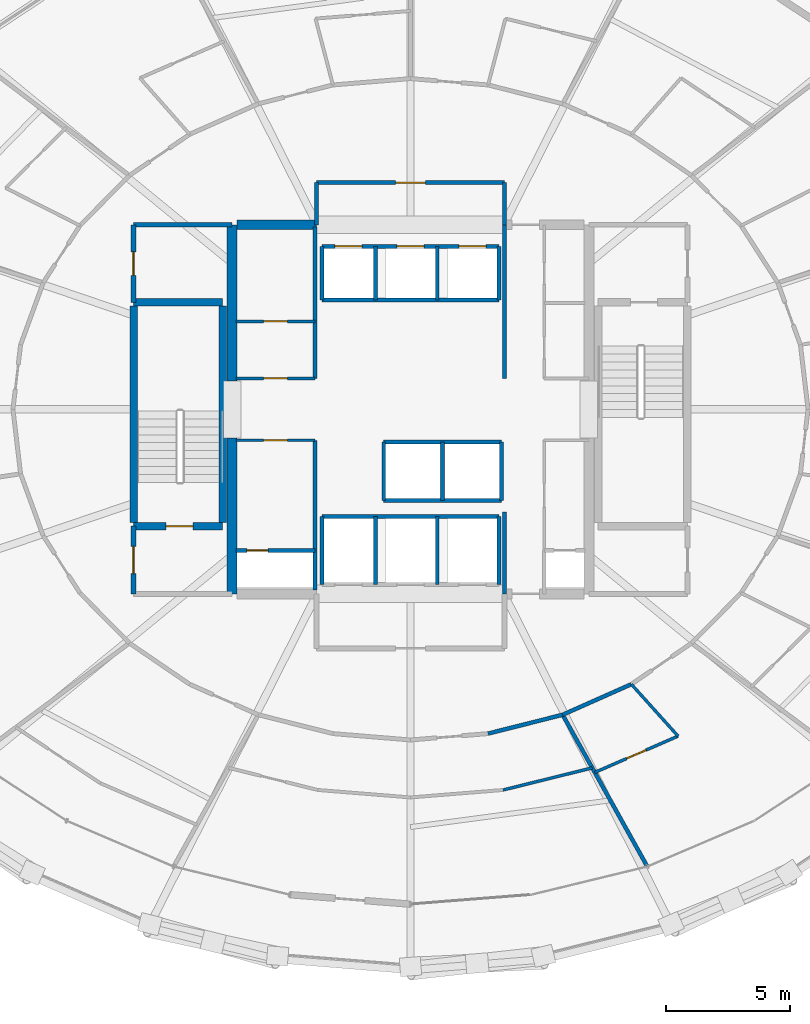
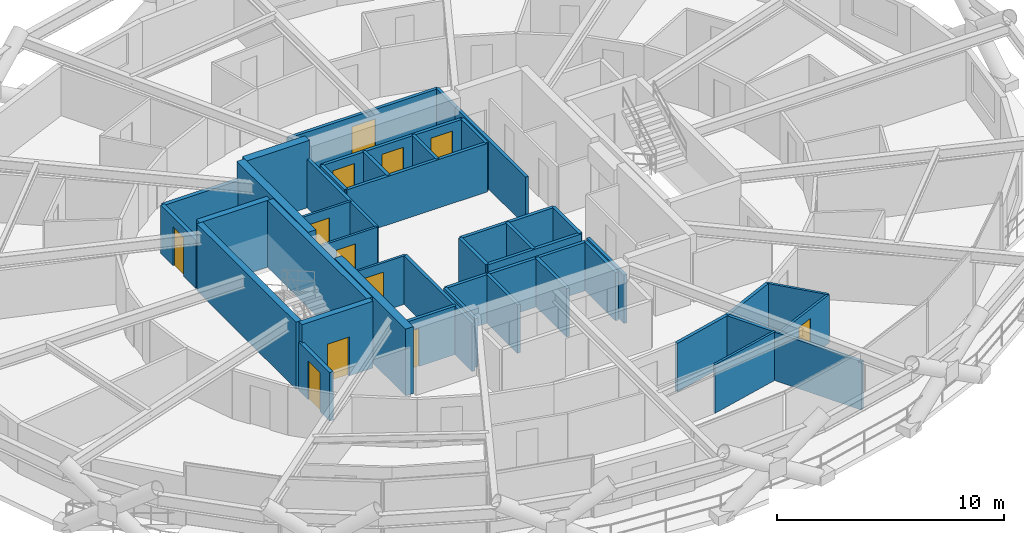
# One storey, part 12 of 17: 43 walls, 12 doors, 12 openings.
"""IFC4 building model written with IfcOpenShell, lengths in metres."""

import ifcopenshell
import ifcopenshell.guid

model = None  # the IFC model being written
_history = None  # IfcOwnerHistory: only IFC2X3 demands one
_inside = {}  # id of a spatial element -> (the spatial element, [elements in it])
_under = {}  # id of a project, library or spatial element -> (it, [spatial elements below it])
_declared = {}  # id of a project -> (the project, [libraries it declares])
_typed = {}  # id of a type object -> (the type object, [elements of that type])
_made_of = {}  # id of a material, layer set ... -> (it, [elements and type objects made of it])


def new_model(schema):
    """Start an empty IFC model of exactly this schema.

    Asked for "IFC4X3", IfcOpenShell would pick the latest addendum, in which some entities
    have other attributes; the version numbers below select the first issue.
    IFC2X3 requires an IfcOwnerHistory on every rooted entity: one is made here for all.
    """
    global model, _history
    if schema == "IFC4X3":
        model = ifcopenshell.file(schema_version=(4, 3, 0, 0))
    else:
        model = ifcopenshell.file(schema=schema)
    _inside.clear()
    _under.clear()
    _declared.clear()
    _typed.clear()
    _made_of.clear()
    _history = None
    if model.schema == "IFC2X3":
        org = make("IfcOrganization", Name="unknown")
        user = make(
            "IfcPersonAndOrganization",
            ThePerson=make("IfcPerson", FamilyName="unknown"),
            TheOrganization=org,
        )
        app = make(
            "IfcApplication",
            ApplicationDeveloper=org,
            Version="unknown",
            ApplicationFullName="unknown",
            ApplicationIdentifier="unknown",
        )
        _history = make(
            "IfcOwnerHistory",
            OwningUser=user,
            OwningApplication=app,
            ChangeAction="ADDED",
            CreationDate=0,
        )
    return model


def make(cls, **values):
    """One entity of the class cls with the attributes given. An attribute that is None is left unset."""
    return model.create_entity(
        cls, **{name: value for name, value in values.items() if value is not None}
    )


def rooted(cls, **values):
    """An entity with a GlobalId (a new one), such as an element, a storey or a relation."""
    return make(cls, GlobalId=ifcopenshell.guid.new(), OwnerHistory=_history, **values)


def si_unit(unit_type, name, prefix=None):
    """IfcSIUnit, for example si_unit("LENGTHUNIT", "METRE", prefix="MILLI")."""
    return make("IfcSIUnit", UnitType=unit_type, Prefix=prefix, Name=name)


def assignment(units):
    """IfcUnitAssignment: the units of a project."""
    return None if units is None else make("IfcUnitAssignment", Units=units)


def point(xyz):
    """IfcCartesianPoint."""
    return None if xyz is None else make("IfcCartesianPoint", Coordinates=xyz)


def direction(xyz):
    """IfcDirection."""
    return None if xyz is None else make("IfcDirection", DirectionRatios=xyz)


def frame(location, z_axis=None, x_axis=None):
    """IfcAxis2Placement3D, a coordinate frame: its origin and axes. An axis left out is left unset."""
    return make(
        "IfcAxis2Placement3D",
        Location=point(location),
        Axis=direction(z_axis),
        RefDirection=direction(x_axis),
    )


def frame_2d(location, x_axis=None):
    """IfcAxis2Placement2D, a coordinate frame in the plane: its origin and x axis."""
    return make(
        "IfcAxis2Placement2D", Location=point(location), RefDirection=direction(x_axis)
    )


def origin():
    """The frame at (0, 0, 0) with its axes left unset."""
    return frame((0.0, 0.0, 0.0))


def place(relative_to, where):
    """IfcLocalPlacement: puts the frame where relative to a parent placement (None: the world)."""
    return make(
        "IfcLocalPlacement", PlacementRelTo=relative_to, RelativePlacement=where
    )


def context(
    kind, dimensions, precision=None, world=None, true_north=None, identifier=None
):
    """IfcGeometricRepresentationContext, for example the 3D "Model" context."""
    return make(
        "IfcGeometricRepresentationContext",
        ContextIdentifier=identifier,
        ContextType=kind,
        CoordinateSpaceDimension=dimensions,
        Precision=precision,
        WorldCoordinateSystem=world,
        TrueNorth=true_north,
    )


def subcontext(parent, identifier, kind, view, scale=None):
    """IfcGeometricRepresentationSubContext, for example "Body" below "Model"."""
    return make(
        "IfcGeometricRepresentationSubContext",
        ContextIdentifier=identifier,
        ContextType=kind,
        ParentContext=parent,
        TargetScale=scale,
        TargetView=view,
    )


def project(units=None, contexts=None):
    """IfcProject with its units and contexts."""
    return rooted(
        "IfcProject",
        Name="project",
        RepresentationContexts=contexts,
        UnitsInContext=assignment(units),
    )


def spatial(cls, under=None, at=None, **own):
    """A site, building, storey or space (cls), placed at a placement, below another one or the project."""
    s = rooted(cls, ObjectPlacement=at, **own)
    if under is not None:
        _under.setdefault(under.id(), (under, []))[1].append(s)
    return s


def profile(cls, at=None, kind="AREA", **sizes):
    """A parametric profile (cls). Its sizes go by their IFC names, for example OverallWidth=200.0."""
    return make(cls, ProfileType=kind, Position=at, **sizes)


def rectangle(**sizes):
    """IfcRectangleProfileDef."""
    return profile("IfcRectangleProfileDef", **sizes)


def extrude(swept, where, along, depth):
    """IfcExtrudedAreaSolid: the profile swept, set in the frame where, extruded along a direction by depth."""
    return make(
        "IfcExtrudedAreaSolid",
        SweptArea=swept,
        Position=where,
        ExtrudedDirection=direction(along),
        Depth=depth,
    )


def shape(context_of_items, identifier, shape_type, items):
    """IfcShapeRepresentation: the items that make up one representation, for example the "Body"."""
    return make(
        "IfcShapeRepresentation",
        ContextOfItems=context_of_items,
        RepresentationIdentifier=identifier,
        RepresentationType=shape_type,
        Items=items,
    )


def material(Name=None, Category=None):
    """IfcMaterial."""
    return make("IfcMaterial", Name=Name, Category=Category)


def layer(
    of_material, thickness, ventilated=None, Name=None, Category=None, Priority=None
):
    """IfcMaterialLayer: one layer of a wall or slab, of a material (None: an air gap)."""
    return make(
        "IfcMaterialLayer",
        Material=of_material,
        LayerThickness=thickness,
        IsVentilated=ventilated,
        Name=Name,
        Category=Category,
        Priority=Priority,
    )


def layer_set(layers, Name=None):
    """IfcMaterialLayerSet."""
    return make("IfcMaterialLayerSet", MaterialLayers=layers, LayerSetName=Name)


def made_of(thing, what):
    """Note that an element or type object is made of a material, layer set ...; save() writes the relation."""
    if what is not None:
        _made_of.setdefault(what.id(), (what, []))[1].append(thing)
    return thing


def type_object(cls, material=None, **own):
    """A type object (cls), such as IfcWallType, which elements share."""
    return made_of(rooted(cls, **own), material)


def element(
    cls,
    number,
    at=None,
    inside=None,
    cuts=None,
    type_object=None,
    material=None,
    context=None,
    identifier="Body",
    shape_type=None,
    held_by="IfcProductDefinitionShape",
    body=None,
    shapes=None,
    **own,
):
    """One element of the class cls, such as IfcWall. Its Tag is "e" and its number.

    at: its placement. inside: the storey or other place that contains it. cuts: it is an
    opening in that element (IfcRelVoidsElement). A single representation is given by context,
    identifier, shape_type and body (its items); several are given by shapes. held_by: the class
    of the entity that holds the representations. save() writes the other relations.
    """
    e = rooted(cls, Tag="e%d" % number, ObjectPlacement=at, **own)
    if body is not None:
        shapes = [shape(context, identifier, shape_type, body)]
    if shapes is not None:
        e.Representation = make(held_by, Representations=shapes)
    if inside is not None:
        _inside.setdefault(inside.id(), (inside, []))[1].append(e)
    if cuts is not None:
        rooted(
            "IfcRelVoidsElement", RelatingBuildingElement=cuts, RelatedOpeningElement=e
        )
    if type_object is not None:
        _typed.setdefault(type_object.id(), (type_object, []))[1].append(e)
    return made_of(e, material)


def fill(opening, filler):
    """IfcRelFillsElement: the door or window that sits in an opening."""
    return rooted(
        "IfcRelFillsElement",
        RelatingOpeningElement=opening,
        RelatedBuildingElement=filler,
    )


def aggregate(whole, parts):
    """IfcRelAggregates: a whole, such as a stair, and the parts it consists of."""
    return rooted("IfcRelAggregates", RelatingObject=whole, RelatedObjects=parts)


def save(model, path):
    """Write the relations noted so far, then the file.

    IfcRelAggregates (storeys below a building ...), IfcRelContainedInSpatialStructure (elements
    in a storey), IfcRelDefinesByType, IfcRelAssociatesMaterial and IfcRelDeclares: one each for
    every whole, place, type object, material and project.
    """
    for whole, parts in _under.values():
        aggregate(whole, parts)
    for where, things in _inside.values():
        rooted(
            "IfcRelContainedInSpatialStructure",
            RelatedElements=things,
            RelatingStructure=where,
        )
    for kind, things in _typed.values():
        rooted("IfcRelDefinesByType", RelatedObjects=things, RelatingType=kind)
    for what, things in _made_of.values():
        rooted("IfcRelAssociatesMaterial", RelatedObjects=things, RelatingMaterial=what)
    for by, libraries in _declared.values():
        rooted("IfcRelDeclares", RelatingContext=by, RelatedDefinitions=libraries)
    model.write(path)


model = new_model("IFC4")

# Units and contexts
model_context = context("Model", 3, precision=1e-05, world=origin(), true_north=direction((0.0, 1.0)))
body_context = subcontext(model_context, "Body", "Model", "MODEL_VIEW")
ifc_project = project(units=[si_unit("LENGTHUNIT", "METRE"), si_unit("AREAUNIT", "SQUARE_METRE"), si_unit("VOLUMEUNIT", "CUBIC_METRE"), si_unit("PLANEANGLEUNIT", "RADIAN"), si_unit("MASSUNIT", "GRAM", prefix="KILO")], contexts=[model_context])

# Site, building, storey
site_placement = place(None, origin())
site = spatial("IfcSite", under=ifc_project, at=site_placement, CompositionType="ELEMENT")
building_placement = place(site_placement, origin())
building = spatial("IfcBuilding", under=site, at=building_placement, Name="Veldorina Hangang Commons", CompositionType="ELEMENT")
storey_placement = place(building_placement, frame((0.0, 0.0, 30.39990234375)))
storey = spatial("IfcBuildingStorey", under=building, at=storey_placement, Name="L06", CompositionType="ELEMENT", Elevation=30.39990234375)

# Walls
ifc_material_1 = material(Name="Concrete C70/85", Category="concrete")
ifc_layer_1 = layer(ifc_material_1, 0.39990234375)
ifc_layer_set_1 = layer_set([ifc_layer_1], Name="Concrete C70/85")
wall_type_1 = type_object("IfcWallType", Name="CW-RC400-C70", PredefinedType="SHEAR", material=ifc_layer_set_1)
for number, where, z_axis, x_axis, name in (
    (1, (24.800048828125, 16.550048828125, 0.0), (0.0, 0.0, 1.0), (0.0, 1.0, 0.0), "L06 W south core shear wall"),
    (2, (24.800048828125, 25.14990234375, 0.0), (0.0, 0.0, 1.0), (0.0, 1.0, 0.0), "L06 W north core shear wall"),
):
    element("IfcWall", number, at=place(storey_placement, frame(where, z_axis=z_axis, x_axis=x_axis)), inside=storey, type_object=wall_type_1, Name=name, PredefinedType="SHEAR", context=body_context, shape_type="SweptSolid", body=[
        extrude(rectangle(XDim=6.300048828125, YDim=0.39990234375, at=frame_2d((3.14990234375, 0.0))), origin(), (0.0, 0.0, 1.0), 3.60009765625),
    ])
wall_1_placement = place(storey_placement, frame((25.0, 31.449951171875, 0.0), z_axis=(0.0, 0.0, 1.0), x_axis=(1.0, 0.0, 0.0)))
element("IfcWall", 3, at=wall_1_placement, inside=storey, type_object=wall_type_1, Name="L06 north-west core shear wall", PredefinedType="SHEAR", context=body_context, shape_type="SweptSolid", body=[
    extrude(rectangle(XDim=3.199951171875, YDim=0.39990234375, at=frame_2d((1.60009765625, 0.0))), origin(), (0.0, 0.0, 1.0), 3.60009765625),
])
ifc_material_2 = material(Name="Concrete C50/60", Category="concrete")
ifc_layer_2 = layer(ifc_material_2, 0.300048828125)
ifc_layer_set_2 = layer_set([ifc_layer_2], Name="Concrete C50/60")
wall_type_2 = type_object("IfcWallType", Name="SW-STAIR-300", PredefinedType="SHEAR", material=ifc_layer_set_2)
for number, where, z_axis, x_axis, name in (
    (4, (20.820068359375, 19.429931640625, 0.0), (0.0, 0.0, 1.0), (0.0, 1.0, 0.0), "L06 ST1 outer stair shear wall"),
    (5, (24.419921875, 19.429931640625, 0.0), (0.0, 0.0, 1.0), (0.0, 1.0, 0.0), "L06 ST1 inner stair shear wall"),
):
    element("IfcWall", number, at=place(storey_placement, frame(where, z_axis=z_axis, x_axis=x_axis)), inside=storey, type_object=wall_type_2, Name=name, PredefinedType="SHEAR", context=body_context, shape_type="SweptSolid", body=[
        extrude(rectangle(XDim=8.739990234375, YDim=0.300048828125, at=frame_2d((4.3701171875, 0.0))), origin(), (0.0, 0.0, 1.0), 3.60009765625),
    ])

# Wall, opening, door
wall_2_placement = place(storey_placement, frame((20.820068359375, 19.280029296875, 0.0), z_axis=(0.0, 0.0, 1.0), x_axis=(1.0, 0.0, 0.0)))
wall_2 = element("IfcWall", 6, at=wall_2_placement, inside=storey, type_object=wall_type_2, Name="L06 ST1 south stair shear wall", PredefinedType="SHEAR", context=body_context, shape_type="SweptSolid", body=[
    extrude(rectangle(XDim=3.599853515625, YDim=0.300048828125, at=frame_2d((1.7998046875, 0.0))), origin(), (0.0, 0.0, 1.0), 3.60009765625),
])
opening_1_placement = place(wall_2_placement, frame((1.300048828125, 0.0, 0.0)))
opening_1 = element("IfcOpeningElement", 7, at=opening_1_placement, cuts=wall_2, Name="Opening D-08", PredefinedType="OPENING", context=body_context, shape_type="SweptSolid", body=[
    extrude(rectangle(XDim=1.10009765625, YDim=2.10009765625, at=frame_2d((0.550048828125, 1.050048828125))), frame((0.0, 0.16015625, 0.0), z_axis=(0.0, -1.0, 0.0), x_axis=(1.0, 0.0, 0.0)), (0.0, 0.0, 1.0), 0.320068359375),
])
ifc_material_3 = material(Name="Steel Fire-Rated Smoke Seal", Category="steel")
door_type_1 = type_object("IfcDoorType", Name="DR-FIRE-1100", OperationType="SINGLE_SWING_RIGHT", PredefinedType="DOOR", material=ifc_material_3)
door_1_placement = place(opening_1_placement, origin())
door_1 = element("IfcDoor", 8, at=door_1_placement, inside=storey, type_object=door_type_1, Name="L06 Special Escape Stair ST-1 door", OperationType="SINGLE_SWING_LEFT", OverallHeight=2.10009765625, OverallWidth=1.10009765625, PredefinedType="DOOR", context=body_context, shape_type="SweptSolid", body=[
    extrude(rectangle(XDim=1.10009765625, YDim=2.10009765625, at=frame_2d((0.550048828125, 1.050048828125))), frame((0.0, 0.02490234375, 0.0), z_axis=(0.0, -1.0, 0.0), x_axis=(1.0, 0.0, 0.0)), (0.0, 0.0, 1.0), 0.050048828125),
])
fill(opening_1, door_1)

# Walls
wall_3_placement = place(storey_placement, frame((20.820068359375, 28.320068359375, 0.0), z_axis=(0.0, 0.0, 1.0), x_axis=(1.0, 0.0, 0.0)))
element("IfcWall", 9, at=wall_3_placement, inside=storey, type_object=wall_type_2, Name="L06 ST1 north stair shear wall", PredefinedType="SHEAR", context=body_context, shape_type="SweptSolid", body=[
    extrude(rectangle(XDim=3.599853515625, YDim=0.300048828125, at=frame_2d((1.7998046875, 0.0))), origin(), (0.0, 0.0, 1.0), 3.60009765625),
])
ifc_material_4 = material(Name="Gypsum Fire-Rated Twin Stud Wall", Category="gypsum")
ifc_layer_3 = layer(ifc_material_4, 0.159912109375)
ifc_layer_set_3 = layer_set([ifc_layer_3], Name="Gypsum Fire-Rated Twin Stud Wall")
wall_type_3 = type_object("IfcWallType", Name="WL-FIRE-160", PredefinedType="SOLIDWALL", material=ifc_layer_set_3)
wall_4_placement = place(storey_placement, frame((35.800048828125, 16.550048828125, 0.0), z_axis=(0.0, 0.0, 1.0), x_axis=(0.0, 1.0, 0.0)))
element("IfcWall", 10, at=wall_4_placement, inside=storey, type_object=wall_type_3, Name="L06 Lift passage SW wall 009", PredefinedType="SOLIDWALL", context=body_context, shape_type="SweptSolid", body=[
    extrude(rectangle(XDim=3.300048828125, YDim=0.159912109375, at=frame_2d((1.64990234375, 0.0))), origin(), (0.0, 0.0, 1.0), 2.610107421875),
])
wall_5_placement = place(storey_placement, frame((35.800048828125, 25.25, 0.0), z_axis=(0.0, 0.0, 1.0), x_axis=(0.0, 1.0, 0.0)))
element("IfcWall", 11, at=wall_5_placement, inside=storey, type_object=wall_type_3, Name="L06 Lift passage NW wall 011", PredefinedType="SOLIDWALL", context=body_context, shape_type="SweptSolid", body=[
    extrude(rectangle(XDim=6.199951171875, YDim=0.159912109375, at=frame_2d((3.10009765625, 0.0))), origin(), (0.0, 0.0, 1.0), 2.610107421875),
])

# Wall, openings, doors
wall_6_placement = place(storey_placement, frame((28.419921875, 30.580078125, 0.0), z_axis=(0.0, 0.0, 1.0), x_axis=(1.0, 0.0, 0.0)))
wall_6 = element("IfcWall", 12, at=wall_6_placement, inside=storey, type_object=wall_type_3, Name="L06 Low-bank front shaft wall 015", PredefinedType="SOLIDWALL", context=body_context, shape_type="SweptSolid", body=[
    extrude(rectangle(XDim=7.16015625, YDim=0.159912109375, at=frame_2d((3.580078125, 0.0))), origin(), (0.0, 0.0, 1.0), 2.610107421875),
])
opening_2_placement = place(wall_6_placement, frame((0.530029296875, 0.0, 0.0)))
opening_2 = element("IfcOpeningElement", 13, at=opening_2_placement, cuts=wall_6, Name="Opening LD-01", PredefinedType="OPENING", context=body_context, shape_type="SweptSolid", body=[
    extrude(rectangle(XDim=1.10009765625, YDim=2.14990234375, at=frame_2d((0.550048828125, 1.074951171875))), frame((0.0, 0.08984375, 0.0), z_axis=(0.0, -1.0, 0.0), x_axis=(1.0, 0.0, 0.0)), (0.0, 0.0, 1.0), 0.179931640625),
])
opening_3_placement = place(wall_6_placement, frame((3.030029296875, 0.0, 0.0)))
opening_3 = element("IfcOpeningElement", 14, at=opening_3_placement, cuts=wall_6, Name="Opening LD-01", PredefinedType="OPENING", context=body_context, shape_type="SweptSolid", body=[
    extrude(rectangle(XDim=1.10009765625, YDim=2.14990234375, at=frame_2d((0.550048828125, 1.074951171875))), frame((0.0, 0.08984375, 0.0), z_axis=(0.0, -1.0, 0.0), x_axis=(1.0, 0.0, 0.0)), (0.0, 0.0, 1.0), 0.179931640625),
])
opening_4_placement = place(wall_6_placement, frame((5.530029296875, 0.0, 0.0)))
opening_4 = element("IfcOpeningElement", 15, at=opening_4_placement, cuts=wall_6, Name="Opening LD-01", PredefinedType="OPENING", context=body_context, shape_type="SweptSolid", body=[
    extrude(rectangle(XDim=1.10009765625, YDim=2.14990234375, at=frame_2d((0.550048828125, 1.074951171875))), frame((0.0, 0.08984375, 0.0), z_axis=(0.0, -1.0, 0.0), x_axis=(1.0, 0.0, 0.0)), (0.0, 0.0, 1.0), 0.179931640625),
])
ifc_material_5 = material(Name="Stainless Steel Brushed Lift Door", Category="steel")
door_type_2 = type_object("IfcDoorType", Name="DR-LIFT-1100", OperationType="SLIDING_TO_LEFT", PredefinedType="DOOR", material=ifc_material_5)
door_2_placement = place(opening_2_placement, origin())
door_2 = element("IfcDoor", 16, at=door_2_placement, inside=storey, type_object=door_type_2, Name="L06 Lift PL-L1 landing door 006", OperationType="SLIDING_TO_LEFT", OverallHeight=2.14990234375, OverallWidth=1.10009765625, PredefinedType="DOOR", context=body_context, shape_type="SweptSolid", body=[
    extrude(rectangle(XDim=1.10009765625, YDim=2.14990234375, at=frame_2d((0.550048828125, 1.074951171875))), frame((0.0, 0.02490234375, 0.0), z_axis=(0.0, -1.0, 0.0), x_axis=(1.0, 0.0, 0.0)), (0.0, 0.0, 1.0), 0.050048828125),
])
fill(opening_2, door_2)
door_3_placement = place(opening_3_placement, origin())
door_3 = element("IfcDoor", 17, at=door_3_placement, inside=storey, type_object=door_type_2, Name="L06 Lift PL-L2 landing door 007", OperationType="SLIDING_TO_LEFT", OverallHeight=2.14990234375, OverallWidth=1.10009765625, PredefinedType="DOOR", context=body_context, shape_type="SweptSolid", body=[
    extrude(rectangle(XDim=1.10009765625, YDim=2.14990234375, at=frame_2d((0.550048828125, 1.074951171875))), frame((0.0, 0.02490234375, 0.0), z_axis=(0.0, -1.0, 0.0), x_axis=(1.0, 0.0, 0.0)), (0.0, 0.0, 1.0), 0.050048828125),
])
fill(opening_3, door_3)
door_4_placement = place(opening_4_placement, origin())
door_4 = element("IfcDoor", 18, at=door_4_placement, inside=storey, type_object=door_type_2, Name="L06 Lift PL-L3 landing door 008", OperationType="SLIDING_TO_LEFT", OverallHeight=2.14990234375, OverallWidth=1.10009765625, PredefinedType="DOOR", context=body_context, shape_type="SweptSolid", body=[
    extrude(rectangle(XDim=1.10009765625, YDim=2.14990234375, at=frame_2d((0.550048828125, 1.074951171875))), frame((0.0, 0.02490234375, 0.0), z_axis=(0.0, -1.0, 0.0), x_axis=(1.0, 0.0, 0.0)), (0.0, 0.0, 1.0), 0.050048828125),
])
fill(opening_4, door_4)

# Walls
wall_7_placement = place(storey_placement, frame((28.419921875, 28.419921875, 0.0), z_axis=(0.0, 0.0, 1.0), x_axis=(1.0, 0.0, 0.0)))
element("IfcWall", 19, at=wall_7_placement, inside=storey, type_object=wall_type_3, Name="L06 Low-bank rear shaft wall 016", PredefinedType="SOLIDWALL", context=body_context, shape_type="SweptSolid", body=[
    extrude(rectangle(XDim=7.16015625, YDim=0.159912109375, at=frame_2d((3.580078125, 0.0))), origin(), (0.0, 0.0, 1.0), 2.610107421875),
])
for number, where, z_axis, x_axis, name in (
    (20, (28.419921875, 28.419921875, 0.0), (0.0, 0.0, 1.0), (0.0, 1.0, 0.0), "L06 PL-L1 west shaft wall 017"),
    (21, (30.580078125, 28.419921875, 0.0), (0.0, 0.0, 1.0), (0.0, 1.0, 0.0), "L06 PL-L1 east shaft wall 018"),
    (22, (33.080078125, 28.419921875, 0.0), (0.0, 0.0, 1.0), (0.0, 1.0, 0.0), "L06 PL-L2 east shaft wall 019"),
    (23, (35.580078125, 28.419921875, 0.0), (0.0, 0.0, 1.0), (0.0, 1.0, 0.0), "L06 PL-L3 east shaft wall 020"),
):
    element("IfcWall", number, at=place(storey_placement, frame(where, z_axis=z_axis, x_axis=x_axis)), inside=storey, type_object=wall_type_3, Name=name, PredefinedType="SOLIDWALL", context=body_context, shape_type="SweptSolid", body=[
        extrude(rectangle(XDim=2.16015625, YDim=0.159912109375, at=frame_2d((1.080078125, 0.0))), origin(), (0.0, 0.0, 1.0), 2.610107421875),
    ])
for number, where, z_axis, x_axis, name in (
    (24, (30.919921875, 22.679931640625, 0.0), (0.0, 0.0, 1.0), (1.0, 0.0, 0.0), "L06 Shuttle-high front shaft wall 021"),
    (25, (30.919921875, 20.320068359375, 0.0), (0.0, 0.0, 1.0), (1.0, 0.0, 0.0), "L06 Shuttle-high rear shaft wall 022"),
):
    element("IfcWall", number, at=place(storey_placement, frame(where, z_axis=z_axis, x_axis=x_axis)), inside=storey, type_object=wall_type_3, Name=name, PredefinedType="SOLIDWALL", context=body_context, shape_type="SweptSolid", body=[
        extrude(rectangle(XDim=4.760009765625, YDim=0.159912109375, at=frame_2d((2.3798828125, 0.0))), origin(), (0.0, 0.0, 1.0), 2.610107421875),
    ])
for number, where, z_axis, x_axis, name in (
    (26, (30.919921875, 20.320068359375, 0.0), (0.0, 0.0, 1.0), (0.0, 1.0, 0.0), "L06 SL-1 west shaft wall 023"),
    (27, (33.300048828125, 20.320068359375, 0.0), (0.0, 0.0, 1.0), (0.0, 1.0, 0.0), "L06 SL-1 east shaft wall 024"),
    (28, (35.679931640625, 20.320068359375, 0.0), (0.0, 0.0, 1.0), (0.0, 1.0, 0.0), "L06 SL-2 east shaft wall 025"),
):
    element("IfcWall", number, at=place(storey_placement, frame(where, z_axis=z_axis, x_axis=x_axis)), inside=storey, type_object=wall_type_3, Name=name, PredefinedType="SOLIDWALL", context=body_context, shape_type="SweptSolid", body=[
        extrude(rectangle(XDim=2.35986328125, YDim=0.159912109375, at=frame_2d((1.179931640625, 0.0))), origin(), (0.0, 0.0, 1.0), 2.610107421875),
    ])
wall_8_placement = place(storey_placement, frame((28.419921875, 19.679931640625, 0.0), z_axis=(0.0, 0.0, 1.0), x_axis=(1.0, 0.0, 0.0)))
element("IfcWall", 29, at=wall_8_placement, inside=storey, type_object=wall_type_3, Name="L06 Emergency rear shaft wall 027", PredefinedType="SOLIDWALL", context=body_context, shape_type="SweptSolid", body=[
    extrude(rectangle(XDim=7.16015625, YDim=0.159912109375, at=frame_2d((3.580078125, 0.0))), origin(), (0.0, 0.0, 1.0), 2.610107421875),
])
for number, where, z_axis, x_axis, name in (
    (30, (28.419921875, 16.919921875, 0.0), (0.0, 0.0, 1.0), (0.0, 1.0, 0.0), "L06 FFL-1 west shaft wall 028"),
    (31, (30.580078125, 16.919921875, 0.0), (0.0, 0.0, 1.0), (0.0, 1.0, 0.0), "L06 FFL-1 east shaft wall 029"),
    (32, (33.080078125, 16.919921875, 0.0), (0.0, 0.0, 1.0), (0.0, 1.0, 0.0), "L06 FFL-2 east shaft wall 030"),
    (33, (35.580078125, 16.919921875, 0.0), (0.0, 0.0, 1.0), (0.0, 1.0, 0.0), "L06 EVL-1 east shaft wall 031"),
):
    element("IfcWall", number, at=place(storey_placement, frame(where, z_axis=z_axis, x_axis=x_axis)), inside=storey, type_object=wall_type_3, Name=name, PredefinedType="SOLIDWALL", context=body_context, shape_type="SweptSolid", body=[
        extrude(rectangle(XDim=2.760009765625, YDim=0.159912109375, at=frame_2d((1.3798828125, 0.0))), origin(), (0.0, 0.0, 1.0), 2.610107421875),
    ])
for number, where, z_axis, x_axis, name in (
    (34, (28.199951171875, 31.449951171875, 0.0), (0.0, 0.0, 1.0), (0.0, 1.0, 0.0), "L06 North lobby west wall 032"),
    (35, (35.800048828125, 31.449951171875, 0.0), (0.0, 0.0, 1.0), (0.0, 1.0, 0.0), "L06 North lobby east wall 033"),
):
    element("IfcWall", number, at=place(storey_placement, frame(where, z_axis=z_axis, x_axis=x_axis)), inside=storey, type_object=wall_type_3, Name=name, PredefinedType="SOLIDWALL", context=body_context, shape_type="SweptSolid", body=[
        extrude(rectangle(XDim=1.699951171875, YDim=0.159912109375, at=frame_2d((0.85009765625, 0.0))), origin(), (0.0, 0.0, 1.0), 2.610107421875),
    ])

# Wall, opening, door
wall_9_placement = place(storey_placement, frame((28.199951171875, 33.14990234375, 0.0), z_axis=(0.0, 0.0, 1.0), x_axis=(1.0, 0.0, 0.0)))
wall_9 = element("IfcWall", 36, at=wall_9_placement, inside=storey, type_object=wall_type_3, Name="L06 North lobby north wall 034", PredefinedType="SOLIDWALL", context=body_context, shape_type="SweptSolid", body=[
    extrude(rectangle(XDim=7.60009765625, YDim=0.159912109375, at=frame_2d((3.800048828125, 0.0))), origin(), (0.0, 0.0, 1.0), 2.610107421875),
])
opening_5_placement = place(wall_9_placement, frame((3.199951171875, 0.0, 0.0)))
opening_5 = element("IfcOpeningElement", 37, at=opening_5_placement, cuts=wall_9, Name="Opening D-09", PredefinedType="OPENING", context=body_context, shape_type="SweptSolid", body=[
    extrude(rectangle(XDim=1.199951171875, YDim=2.10009765625, at=frame_2d((0.60009765625, 1.050048828125))), frame((0.0, 0.08984375, 0.0), z_axis=(0.0, -1.0, 0.0), x_axis=(1.0, 0.0, 0.0)), (0.0, 0.0, 1.0), 0.179931640625),
])
ifc_material_6 = material(Name="Steel Fire-Rated Corridor Door", Category="steel")
door_type_3 = type_object("IfcDoorType", Name="DR-FIRE-1200", OperationType="SINGLE_SWING_LEFT", PredefinedType="DOOR", material=ifc_material_6)
door_5_placement = place(opening_5_placement, origin())
door_5 = element("IfcDoor", 38, at=door_5_placement, inside=storey, type_object=door_type_3, Name="L06 North lift lobby corridor door 012", OperationType="SINGLE_SWING_RIGHT", OverallHeight=2.10009765625, OverallWidth=1.199951171875, PredefinedType="DOOR", context=body_context, shape_type="SweptSolid", body=[
    extrude(rectangle(XDim=1.199951171875, YDim=2.10009765625, at=frame_2d((0.60009765625, 1.050048828125))), frame((0.0, 0.02490234375, 0.0), z_axis=(0.0, -1.0, 0.0), x_axis=(1.0, 0.0, 0.0)), (0.0, 0.0, 1.0), 0.050048828125),
])
fill(opening_5, door_5)

wall_10_placement = place(storey_placement, frame((24.949951171875, 18.300048828125, 0.0), z_axis=(0.0, 0.0, 1.0), x_axis=(1.0, 0.0, 0.0)))
wall_10 = element("IfcWall", 39, at=wall_10_placement, inside=storey, type_object=wall_type_3, Name="L06 Electrical riser wall 035", PredefinedType="SOLIDWALL", context=body_context, shape_type="SweptSolid", body=[
    extrude(rectangle(XDim=3.199951171875, YDim=0.159912109375, at=frame_2d((1.60009765625, 0.0))), origin(), (0.0, 0.0, 1.0), 2.610107421875),
])
opening_6_placement = place(wall_10_placement, frame((0.43994140625, 0.0, 0.0)))
opening_6 = element("IfcOpeningElement", 40, at=opening_6_placement, cuts=wall_10, Name="Opening D-12", PredefinedType="OPENING", context=body_context, shape_type="SweptSolid", body=[
    extrude(rectangle(XDim=0.860107421875, YDim=2.050048828125, at=frame_2d((0.43017578125, 1.02490234375))), frame((0.0, 0.08984375, 0.0), z_axis=(0.0, -1.0, 0.0), x_axis=(1.0, 0.0, 0.0)), (0.0, 0.0, 1.0), 0.179931640625),
])
ifc_material_7 = material(Name="Steel Insulated Riser Access", Category="steel")
door_type_4 = type_object("IfcDoorType", Name="DR-TRAP-860", OperationType="SINGLE_SWING_LEFT", PredefinedType="TRAPDOOR", material=ifc_material_7)
door_6_placement = place(opening_6_placement, origin())
door_6 = element("IfcDoor", 41, at=door_6_placement, inside=storey, type_object=door_type_4, Name="L06 Electrical riser access door 013", OperationType="SINGLE_SWING_LEFT", OverallHeight=2.050048828125, OverallWidth=0.860107421875, PredefinedType="TRAPDOOR", context=body_context, shape_type="SweptSolid", body=[
    extrude(rectangle(XDim=0.860107421875, YDim=2.050048828125, at=frame_2d((0.43017578125, 1.02490234375))), frame((0.0, 0.02490234375, 0.0), z_axis=(0.0, -1.0, 0.0), x_axis=(1.0, 0.0, 0.0)), (0.0, 0.0, 1.0), 0.050048828125),
])
fill(opening_6, door_6)

# Walls
wall_11_placement = place(storey_placement, frame((28.14990234375, 16.699951171875, 0.0), z_axis=(0.0, 0.0, 1.0), x_axis=(0.0, 1.0, 0.0)))
element("IfcWall", 42, at=wall_11_placement, inside=storey, type_object=wall_type_3, Name="L06 SW core inner wall 036", PredefinedType="SOLIDWALL", context=body_context, shape_type="SweptSolid", body=[
    extrude(rectangle(XDim=6.050048828125, YDim=0.159912109375, at=frame_2d((3.02490234375, 0.0))), origin(), (0.0, 0.0, 1.0), 2.610107421875),
])
wall_12_placement = place(storey_placement, frame((28.14990234375, 25.25, 0.0), z_axis=(0.0, 0.0, 1.0), x_axis=(0.0, 1.0, 0.0)))
element("IfcWall", 43, at=wall_12_placement, inside=storey, type_object=wall_type_3, Name="L06 NW core inner wall 038", PredefinedType="SOLIDWALL", context=body_context, shape_type="SweptSolid", body=[
    extrude(rectangle(XDim=6.10009765625, YDim=0.159912109375, at=frame_2d((3.050048828125, 0.0))), origin(), (0.0, 0.0, 1.0), 2.610107421875),
])
wall_13_placement = place(storey_placement, frame((35.131103515625, 10.906494140625, 0.0), z_axis=(0.0, 0.0, 1.0), x_axis=(0.969608333194, 0.244662380029, 0.0)))
element("IfcWall", 44, at=wall_13_placement, inside=storey, type_object=wall_type_3, Name="L06 Corridor outer wall 25 072", PredefinedType="SOLIDWALL", context=body_context, shape_type="SweptSolid", body=[
    extrude(rectangle(XDim=3.10546875, YDim=0.159912109375, at=frame_2d((1.552734375, 0.0))), origin(), (0.0, 0.0, 1.0), 2.610107421875),
])
wall_14_placement = place(storey_placement, frame((38.14208984375, 11.666259765625, 0.0), z_axis=(0.0, 0.0, 1.0), x_axis=(0.913768445178, 0.406235434936, 0.0)))
element("IfcWall", 45, at=wall_14_placement, inside=storey, type_object=wall_type_3, Name="L06 Corridor outer wall 26 073", PredefinedType="SOLIDWALL", context=body_context, shape_type="SweptSolid", body=[
    extrude(rectangle(XDim=3.036865234375, YDim=0.159912109375, at=frame_2d((1.5185546875, 0.0))), origin(), (0.0, 0.0, 1.0), 2.610107421875),
])
wall_15_placement = place(storey_placement, frame((38.14208984375, 11.666259765625, 0.0), z_axis=(0.0, 0.0, 1.0), x_axis=(0.487198928002, -0.873291019394, 0.0)))
element("IfcWall", 46, at=wall_15_placement, inside=storey, type_object=wall_type_3, Name="L06 Unit party wall 26 084", PredefinedType="SOLIDWALL", context=body_context, shape_type="SweptSolid", body=[
    extrude(rectangle(XDim=6.9638671875, YDim=0.159912109375, at=frame_2d((3.48193359375, 0.0))), origin(), (0.0, 0.0, 1.0), 2.610107421875),
])

# Wall, opening, door
ifc_material_8 = material(Name="Concrete Blockwork Fire Wall C30/37", Category="masonry")
ifc_layer_4 = layer(ifc_material_8, 0.199951171875)
ifc_layer_set_4 = layer_set([ifc_layer_4], Name="Concrete Blockwork Fire Wall C30/37")
wall_type_4 = type_object("IfcWallType", Name="WL-FIRE-200", PredefinedType="SOLIDWALL", material=ifc_layer_set_4)
wall_16_placement = place(storey_placement, frame((20.820068359375, 16.550048828125, 0.0), z_axis=(0.0, 0.0, 1.0), x_axis=(0.0, 1.0, 0.0)))
wall_16 = element("IfcWall", 47, at=wall_16_placement, inside=storey, type_object=wall_type_4, Name="L06 West vestibule outer wall 001", PredefinedType="SOLIDWALL", context=body_context, shape_type="SweptSolid", body=[
    extrude(rectangle(XDim=2.72998046875, YDim=0.199951171875, at=frame_2d((1.364990234375, 0.0))), origin(), (0.0, 0.0, 1.0), 2.610107421875),
])
opening_7_placement = place(wall_16_placement, frame((0.81494140625, 0.0, 0.0)))
opening_7 = element("IfcOpeningElement", 48, at=opening_7_placement, cuts=wall_16, Name="Opening D-08", PredefinedType="OPENING", context=body_context, shape_type="SweptSolid", body=[
    extrude(rectangle(XDim=1.10009765625, YDim=2.10009765625, at=frame_2d((0.550048828125, 1.050048828125))), frame((0.0, 0.10986328125, 0.0), z_axis=(0.0, -1.0, 0.0), x_axis=(1.0, 0.0, 0.0)), (0.0, 0.0, 1.0), 0.219970703125),
])
door_7_placement = place(opening_7_placement, origin())
door_7 = element("IfcDoor", 49, at=door_7_placement, inside=storey, type_object=door_type_1, Name="L06 West vestibule west door 001", OperationType="SINGLE_SWING_LEFT", OverallHeight=2.10009765625, OverallWidth=1.10009765625, PredefinedType="DOOR", context=body_context, shape_type="SweptSolid", body=[
    extrude(rectangle(XDim=1.10009765625, YDim=2.10009765625, at=frame_2d((0.550048828125, 1.050048828125))), frame((0.0, 0.02490234375, 0.0), z_axis=(0.0, -1.0, 0.0), x_axis=(1.0, 0.0, 0.0)), (0.0, 0.0, 1.0), 0.050048828125),
])
fill(opening_7, door_7)

wall_17_placement = place(storey_placement, frame((20.820068359375, 28.320068359375, 0.0), z_axis=(0.0, 0.0, 1.0), x_axis=(0.0, 1.0, 0.0)))
wall_17 = element("IfcWall", 50, at=wall_17_placement, inside=storey, type_object=wall_type_4, Name="L06 NW core room outer wall 005", PredefinedType="SOLIDWALL", context=body_context, shape_type="SweptSolid", body=[
    extrude(rectangle(XDim=3.1298828125, YDim=0.199951171875, at=frame_2d((1.56494140625, 0.0))), origin(), (0.0, 0.0, 1.0), 2.610107421875),
])
opening_8_placement = place(wall_17_placement, frame((1.090087890625, 0.0, 0.0)))
opening_8 = element("IfcOpeningElement", 51, at=opening_8_placement, cuts=wall_17, Name="Opening D-04", PredefinedType="OPENING", context=body_context, shape_type="SweptSolid", body=[
    extrude(rectangle(XDim=0.949951171875, YDim=2.10009765625, at=frame_2d((0.47509765625, 1.050048828125))), frame((0.0, 0.10986328125, 0.0), z_axis=(0.0, -1.0, 0.0), x_axis=(1.0, 0.0, 0.0)), (0.0, 0.0, 1.0), 0.219970703125),
])
ifc_material_9 = material(Name="Timber Accessible Flush Leaf", Category="wood")
door_type_5 = type_object("IfcDoorType", Name="DR-ACC-950", OperationType="SINGLE_SWING_LEFT", PredefinedType="DOOR", material=ifc_material_9)
door_8_placement = place(opening_8_placement, origin())
door_8 = element("IfcDoor", 52, at=door_8_placement, inside=storey, type_object=door_type_5, Name="L06 NW core WC door 003", OperationType="SINGLE_SWING_LEFT", OverallHeight=2.10009765625, OverallWidth=0.949951171875, PredefinedType="DOOR", context=body_context, shape_type="SweptSolid", body=[
    extrude(rectangle(XDim=0.949951171875, YDim=2.10009765625, at=frame_2d((0.47509765625, 1.050048828125))), frame((0.0, 0.02490234375, 0.0), z_axis=(0.0, -1.0, 0.0), x_axis=(1.0, 0.0, 0.0)), (0.0, 0.0, 1.0), 0.050048828125),
])
fill(opening_8, door_8)

# Wall
wall_18_placement = place(storey_placement, frame((20.820068359375, 31.449951171875, 0.0), z_axis=(0.0, 0.0, 1.0), x_axis=(1.0, 0.0, 0.0)))
element("IfcWall", 53, at=wall_18_placement, inside=storey, type_object=wall_type_4, Name="L06 NW core room north wall 006", PredefinedType="SOLIDWALL", context=body_context, shape_type="SweptSolid", body=[
    extrude(rectangle(XDim=3.97998046875, YDim=0.199951171875, at=frame_2d((1.989990234375, 0.0))), origin(), (0.0, 0.0, 1.0), 2.610107421875),
])

# Wall, opening, door
ifc_material_10 = material(Name="Gypsum Acoustic Stud Partition", Category="gypsum")
ifc_layer_5 = layer(ifc_material_10, 0.1201171875)
ifc_layer_set_5 = layer_set([ifc_layer_5], Name="Gypsum Acoustic Stud Partition")
wall_type_5 = type_object("IfcWallType", Name="WL-PART-120", PredefinedType="PARTITIONING", material=ifc_layer_set_5)
wall_19_placement = place(storey_placement, frame((24.949951171875, 25.25, 0.0), z_axis=(0.0, 0.0, 1.0), x_axis=(1.0, 0.0, 0.0)))
wall_19 = element("IfcWall", 54, at=wall_19_placement, inside=storey, type_object=wall_type_5, Name="L06 NW service south wall 039", PredefinedType="PARTITIONING", context=body_context, shape_type="SweptSolid", body=[
    extrude(rectangle(XDim=3.199951171875, YDim=0.1201171875, at=frame_2d((1.60009765625, 0.0))), origin(), (0.0, 0.0, 1.0), 2.610107421875),
])
opening_9_placement = place(wall_19_placement, frame((1.125, 0.0, 0.0)))
opening_9 = element("IfcOpeningElement", 55, at=opening_9_placement, cuts=wall_19, Name="Opening D-02", PredefinedType="OPENING", context=body_context, shape_type="SweptSolid", body=[
    extrude(rectangle(XDim=0.949951171875, YDim=2.10009765625, at=frame_2d((0.47509765625, 1.050048828125))), frame((0.0, 0.070068359375, 0.0), z_axis=(0.0, -1.0, 0.0), x_axis=(1.0, 0.0, 0.0)), (0.0, 0.0, 1.0), 0.14013671875),
])
ifc_material_11 = material(Name="Timber Solid Core Acoustic", Category="wood")
door_type_6 = type_object("IfcDoorType", Name="DR-INT-950", OperationType="SINGLE_SWING_LEFT", PredefinedType="DOOR", material=ifc_material_11)
door_9_placement = place(opening_9_placement, origin())
door_9 = element("IfcDoor", 56, at=door_9_placement, inside=storey, type_object=door_type_6, Name="L06 Housekeeping pantry door 015", OperationType="SINGLE_SWING_LEFT", OverallHeight=2.10009765625, OverallWidth=0.949951171875, PredefinedType="DOOR", context=body_context, shape_type="SweptSolid", body=[
    extrude(rectangle(XDim=0.949951171875, YDim=2.10009765625, at=frame_2d((0.47509765625, 1.050048828125))), frame((0.0, 0.02490234375, 0.0), z_axis=(0.0, -1.0, 0.0), x_axis=(1.0, 0.0, 0.0)), (0.0, 0.0, 1.0), 0.050048828125),
])
fill(opening_9, door_9)

wall_20_placement = place(storey_placement, frame((24.949951171875, 22.75, 0.0), z_axis=(0.0, 0.0, 1.0), x_axis=(1.0, 0.0, 0.0)))
wall_20 = element("IfcWall", 57, at=wall_20_placement, inside=storey, type_object=wall_type_5, Name="L06 SW service north wall 040", PredefinedType="PARTITIONING", context=body_context, shape_type="SweptSolid", body=[
    extrude(rectangle(XDim=3.199951171875, YDim=0.1201171875, at=frame_2d((1.60009765625, 0.0))), origin(), (0.0, 0.0, 1.0), 2.610107421875),
])
opening_10_placement = place(wall_20_placement, frame((1.125, 0.0, 0.0)))
opening_10 = element("IfcOpeningElement", 58, at=opening_10_placement, cuts=wall_20, Name="Opening D-02", PredefinedType="OPENING", context=body_context, shape_type="SweptSolid", body=[
    extrude(rectangle(XDim=0.949951171875, YDim=2.10009765625, at=frame_2d((0.47509765625, 1.050048828125))), frame((0.0, 0.070068359375, 0.0), z_axis=(0.0, -1.0, 0.0), x_axis=(1.0, 0.0, 0.0)), (0.0, 0.0, 1.0), 0.14013671875),
])
door_10_placement = place(opening_10_placement, origin())
door_10 = element("IfcDoor", 59, at=door_10_placement, inside=storey, type_object=door_type_6, Name="L06 Waste sorting door 017", OperationType="SINGLE_SWING_LEFT", OverallHeight=2.10009765625, OverallWidth=0.949951171875, PredefinedType="DOOR", context=body_context, shape_type="SweptSolid", body=[
    extrude(rectangle(XDim=0.949951171875, YDim=2.10009765625, at=frame_2d((0.47509765625, 1.050048828125))), frame((0.0, 0.02490234375, 0.0), z_axis=(0.0, -1.0, 0.0), x_axis=(1.0, 0.0, 0.0)), (0.0, 0.0, 1.0), 0.050048828125),
])
fill(opening_10, door_10)

wall_21_placement = place(storey_placement, frame((24.949951171875, 27.550048828125, 0.0), z_axis=(0.0, 0.0, 1.0), x_axis=(1.0, 0.0, 0.0)))
wall_21 = element("IfcWall", 60, at=wall_21_placement, inside=storey, type_object=wall_type_5, Name="L06 NW mid wall 045", PredefinedType="PARTITIONING", context=body_context, shape_type="SweptSolid", body=[
    extrude(rectangle(XDim=3.199951171875, YDim=0.1201171875, at=frame_2d((1.60009765625, 0.0))), origin(), (0.0, 0.0, 1.0), 2.610107421875),
])
opening_11_placement = place(wall_21_placement, frame((1.125, 0.0, 0.0)))
opening_11 = element("IfcOpeningElement", 61, at=opening_11_placement, cuts=wall_21, Name="Opening D-02", PredefinedType="OPENING", context=body_context, shape_type="SweptSolid", body=[
    extrude(rectangle(XDim=0.949951171875, YDim=2.10009765625, at=frame_2d((0.47509765625, 1.050048828125))), frame((0.0, 0.070068359375, 0.0), z_axis=(0.0, -1.0, 0.0), x_axis=(1.0, 0.0, 0.0)), (0.0, 0.0, 1.0), 0.14013671875),
])
door_11_placement = place(opening_11_placement, origin())
door_11 = element("IfcDoor", 62, at=door_11_placement, inside=storey, type_object=door_type_6, Name="L06 Bedding store door 016", OperationType="SINGLE_SWING_RIGHT", OverallHeight=2.10009765625, OverallWidth=0.949951171875, PredefinedType="DOOR", context=body_context, shape_type="SweptSolid", body=[
    extrude(rectangle(XDim=0.949951171875, YDim=2.10009765625, at=frame_2d((0.47509765625, 1.050048828125))), frame((0.0, 0.02490234375, 0.0), z_axis=(0.0, -1.0, 0.0), x_axis=(1.0, 0.0, 0.0)), (0.0, 0.0, 1.0), 0.050048828125),
])
fill(opening_11, door_11)

# Wall
wall_22_placement = place(storey_placement, frame((35.740966796875, 8.630615234375, 0.0), z_axis=(0.0, 0.0, 1.0), x_axis=(0.970628797592, 0.240582080142, 0.0)))
element("IfcWall", 63, at=wall_22_placement, inside=storey, type_object=wall_type_5, Name="L06 Lounge alcove split 3 083", PredefinedType="PARTITIONING", context=body_context, shape_type="SweptSolid", body=[
    extrude(rectangle(XDim=3.7060546875, YDim=0.1201171875, at=frame_2d((1.85302734375, 0.0))), origin(), (0.0, 0.0, 1.0), 2.610107421875),
])

# Wall, opening, door
wall_23_placement = place(storey_placement, frame((39.440673828125, 9.338623046875, 0.0), z_axis=(0.0, 0.0, 1.0), x_axis=(0.916570875496, 0.399872267347, 0.0)))
wall_23 = element("IfcWall", 64, at=wall_23_placement, inside=storey, type_object=wall_type_5, Name="L06 Studio 2 bath front wall 085", PredefinedType="PARTITIONING", context=body_context, shape_type="SweptSolid", body=[
    extrude(rectangle(XDim=3.66748046875, YDim=0.1201171875, at=frame_2d((1.833740234375, 0.0))), origin(), (0.0, 0.0, 1.0), 2.610107421875),
])
opening_12_placement = place(wall_23_placement, frame((1.40380859375, 0.0, 0.0)))
opening_12 = element("IfcOpeningElement", 65, at=opening_12_placement, cuts=wall_23, Name="Opening D-01", PredefinedType="OPENING", context=body_context, shape_type="SweptSolid", body=[
    extrude(rectangle(XDim=0.860107421875, YDim=2.10009765625, at=frame_2d((0.43017578125, 1.050048828125))), frame((0.0, 0.070068359375, 0.0), z_axis=(0.0, -1.0, 0.0), x_axis=(1.0, 0.0, 0.0)), (0.0, 0.0, 1.0), 0.14013671875),
])
ifc_material_12 = material(Name="Timber Moisture-Resistant Core", Category="wood")
door_type_7 = type_object("IfcDoorType", Name="DR-WET-860", OperationType="SINGLE_SWING_LEFT", PredefinedType="DOOR", material=ifc_material_12)
door_12_placement = place(opening_12_placement, origin())
door_12 = element("IfcDoor", 66, at=door_12_placement, inside=storey, type_object=door_type_7, Name="L06 Studio 2 bathroom door 023", OperationType="SINGLE_SWING_LEFT", OverallHeight=2.10009765625, OverallWidth=0.860107421875, PredefinedType="DOOR", context=body_context, shape_type="SweptSolid", body=[
    extrude(rectangle(XDim=0.860107421875, YDim=2.10009765625, at=frame_2d((0.43017578125, 1.050048828125))), frame((0.0, 0.02490234375, 0.0), z_axis=(0.0, -1.0, 0.0), x_axis=(1.0, 0.0, 0.0)), (0.0, 0.0, 1.0), 0.050048828125),
])
fill(opening_12, door_12)

# Wall
wall_24_placement = place(storey_placement, frame((40.9169921875, 12.89990234375, 0.0), z_axis=(0.0, 0.0, 1.0), x_axis=(0.668964731622, -0.743294146247, 0.0)))
element("IfcWall", 67, at=wall_24_placement, inside=storey, type_object=wall_type_5, Name="L06 Studio 2 bath side wall 086", PredefinedType="PARTITIONING", context=body_context, shape_type="SweptSolid", body=[
    extrude(rectangle(XDim=2.818115234375, YDim=0.1201171875, at=frame_2d((1.4091796875, 0.0))), origin(), (0.0, 0.0, 1.0), 2.610107421875),
])

save(model, "model.ifc")
